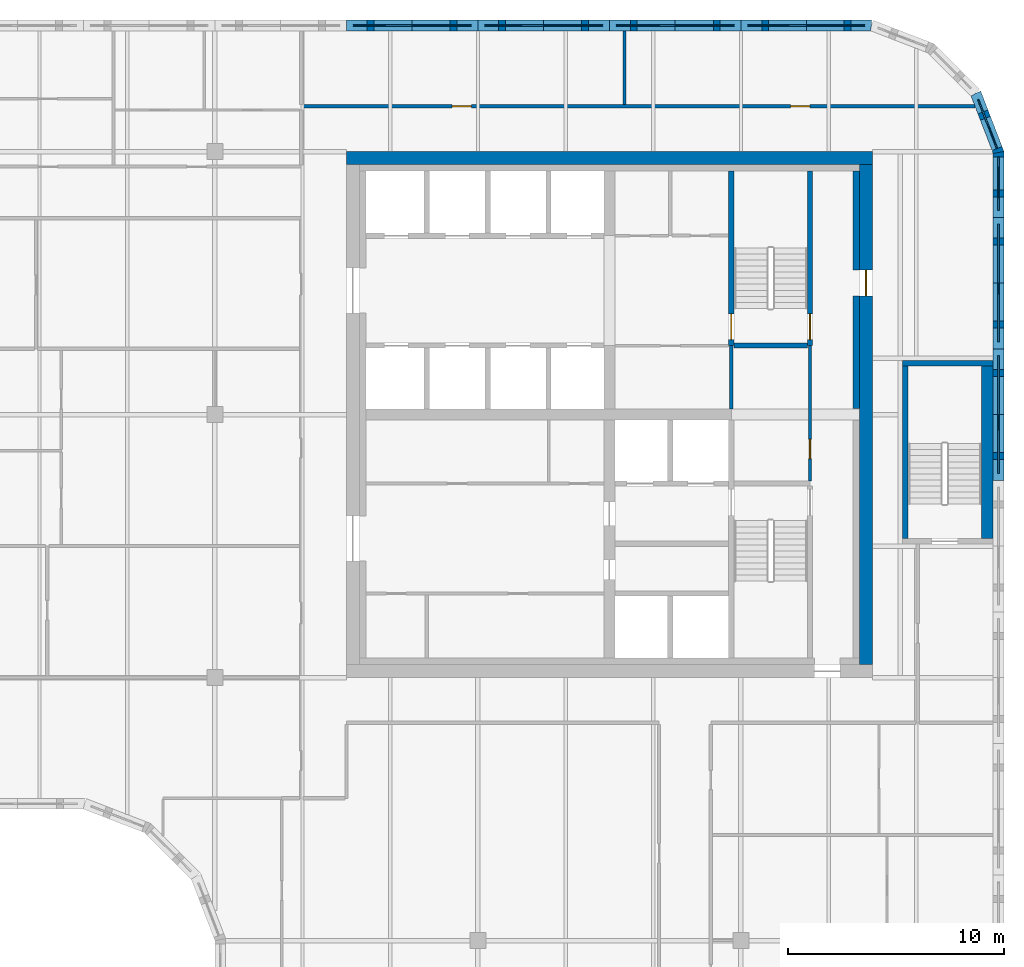
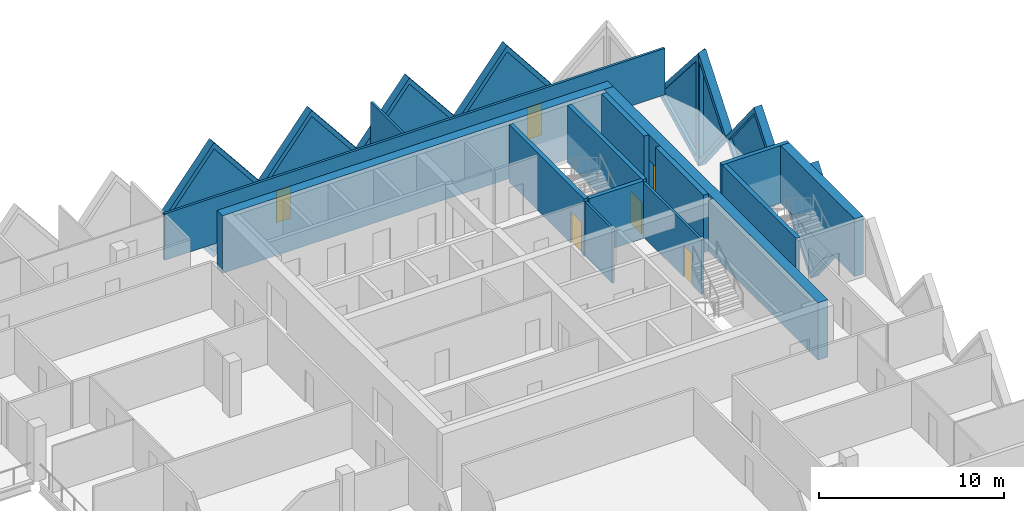
# One storey, part 9 of 11: 22 walls, 8 plates, 6 doors, 14 openings.
"""IFC4 building model written with IfcOpenShell, lengths in metres."""

from ifc_helpers import new_model, si_unit, direction, frame, frame_2d, origin, place, context, subcontext, project, spatial, polyline, rectangle, outline, extrude, faceted_brep, source, transform, mapped, material, layer, layer_set, type_object, element, fill, save


model = new_model("IFC4")

# Units and contexts
model_context = context("Model", 3, precision=1e-05, world=origin(), true_north=direction((0.0, 1.0)))
body_context = subcontext(model_context, "Body", "Model", "MODEL_VIEW")
ifc_project = project(units=[si_unit("LENGTHUNIT", "METRE"), si_unit("AREAUNIT", "SQUARE_METRE"), si_unit("VOLUMEUNIT", "CUBIC_METRE"), si_unit("PLANEANGLEUNIT", "RADIAN"), si_unit("MASSUNIT", "GRAM", prefix="KILO")], contexts=[model_context])

# Site, building, storey
site_placement = place(None, origin())
site = spatial("IfcSite", under=ifc_project, at=site_placement, CompositionType="ELEMENT")
building_placement = place(site_placement, origin())
building = spatial("IfcBuilding", under=site, at=building_placement, Name="Tessera Gate Towers", CompositionType="ELEMENT")
storey_placement = place(building_placement, frame((0.0, 0.0, 166.800048828125)))
storey = spatial("IfcBuildingStorey", under=building, at=storey_placement, Name="L41", CompositionType="ELEMENT", Elevation=166.800048828125)

# Wall, opening, door
ifc_material_1 = material(Name="Concrete C40/50", Category="concrete")
ifc_layer_1 = layer(ifc_material_1, 0.25)
ifc_layer_set_1 = layer_set([ifc_layer_1], Name="CORE ENCLOSURE WALL 250")
wall_type_1 = type_object("IfcWallType", Name="CORE ENCLOSURE WALL 250", PredefinedType="SOLIDWALL", material=ifc_layer_set_1)
wall_1_placement = place(storey_placement, frame((48.35009765625, 47.89990234375, 0.0), z_axis=(0.0, 0.0, 1.0), x_axis=(0.0, -1.0, 0.0)))
wall_1 = element("IfcWall", 1, at=wall_1_placement, inside=storey, type_object=wall_type_1, Name="L41 shaft and stair enclosure wall", PredefinedType="SOLIDWALL", context=body_context, shape_type="SweptSolid", body=[
    extrude(rectangle(XDim=8.099853515625, YDim=0.25, at=frame_2d((4.0498046875, 0.0))), origin(), (0.0, 0.0, 1.0), 3.800048828125),
])
shared_shape_1 = source(origin(), body_context, "Body", "SweptSolid", [
    extrude(rectangle(XDim=1.199951171875, YDim=2.10009765625, at=frame_2d((0.60009765625, 1.050048828125))), frame((0.0, 0.135009765625, 0.0), z_axis=(0.0, -1.0, 0.0), x_axis=(1.0, 0.0, 0.0)), (0.0, 0.0, 1.0), 0.27001953125),
])
opening_1_placement = place(wall_1_placement, frame((6.625, 0.0, 0.0)))
opening_1 = element("IfcOpeningElement", 2, at=opening_1_placement, cuts=wall_1, Name="Opening SD-ST2-1", PredefinedType="OPENING", context=body_context, shape_type="MappedRepresentation", body=[
    mapped(shared_shape_1, transform((0.0, 0.0, 0.0), scale=1.0)),
])
ifc_material_2 = material(Name="Hollow steel fire door", Category="steel")
door_type_1 = type_object("IfcDoorType", Name="CORE DOOR SD 1200x2100", OperationType="NOTDEFINED", PredefinedType="DOOR", material=ifc_material_2)
shared_shape_2 = source(origin(), body_context, "Body", "SweptSolid", [
    extrude(rectangle(XDim=1.199951171875, YDim=2.10009765625, at=frame_2d((0.60009765625, 1.050048828125))), frame((0.0, 0.02490234375, 0.0), z_axis=(0.0, -1.0, 0.0), x_axis=(1.0, 0.0, 0.0)), (0.0, 0.0, 1.0), 0.050048828125),
])
door_1_placement = place(opening_1_placement, origin())
door_1 = element("IfcDoor", 3, at=door_1_placement, inside=storey, type_object=door_type_1, Name="Stair door", OperationType="SINGLE_SWING_RIGHT", OverallHeight=2.10009765625, OverallWidth=1.199951171875, PredefinedType="DOOR", context=body_context, shape_type="MappedRepresentation", body=[
    mapped(shared_shape_2, transform((0.0, 0.0, 0.0), scale=1.0)),
])
fill(opening_1, door_1)

wall_2_placement = place(storey_placement, frame((52.0, 39.800048828125, 0.0), z_axis=(0.0, 0.0, 1.0), x_axis=(0.0, 1.0, 0.0)))
wall_2 = element("IfcWall", 4, at=wall_2_placement, inside=storey, type_object=wall_type_1, Name="L41 shaft and stair enclosure wall", PredefinedType="SOLIDWALL", context=body_context, shape_type="SweptSolid", body=[
    extrude(rectangle(XDim=8.099853515625, YDim=0.25, at=frame_2d((4.0498046875, 0.0))), origin(), (0.0, 0.0, 1.0), 3.800048828125),
])
opening_2_placement = place(wall_2_placement, frame((0.27490234375, 0.0, 0.0)))
opening_2 = element("IfcOpeningElement", 5, at=opening_2_placement, cuts=wall_2, Name="Opening SD-ST2-2", PredefinedType="OPENING", context=body_context, shape_type="MappedRepresentation", body=[
    mapped(shared_shape_1, transform((0.0, 0.0, 0.0), scale=1.0)),
])
door_2_placement = place(opening_2_placement, origin())
door_2 = element("IfcDoor", 6, at=door_2_placement, inside=storey, type_object=door_type_1, Name="Stair door", OperationType="SINGLE_SWING_LEFT", OverallHeight=2.10009765625, OverallWidth=1.199951171875, PredefinedType="DOOR", context=body_context, shape_type="MappedRepresentation", body=[
    mapped(shared_shape_2, transform((0.0, 0.0, 0.0), scale=1.0)),
])
fill(opening_2, door_2)

# Walls
wall_3_placement = place(storey_placement, frame((48.47509765625, 39.800048828125, 0.0), z_axis=(0.0, 0.0, 1.0), x_axis=(1.0, 0.0, 0.0)))
element("IfcWall", 7, at=wall_3_placement, inside=storey, type_object=wall_type_1, Name="L41 shaft and stair enclosure wall", PredefinedType="SOLIDWALL", context=body_context, shape_type="SweptSolid", body=[
    extrude(rectangle(XDim=3.39990234375, YDim=0.25, at=frame_2d((1.699951171875, 0.0))), origin(), (0.0, 0.0, 1.0), 3.800048828125),
])
wall_4_placement = place(storey_placement, frame((56.425048828125, 30.85009765625, 0.0), z_axis=(0.0, 0.0, 1.0), x_axis=(0.0, 1.0, 0.0)))
element("IfcWall", 8, at=wall_4_placement, inside=storey, type_object=wall_type_1, Name="L41 ST5 enclosure wall", PredefinedType="SOLIDWALL", context=body_context, shape_type="SweptSolid", body=[
    extrude(rectangle(XDim=8.0, YDim=0.25, at=frame_2d((4.0, 0.0))), origin(), (0.0, 0.0, 1.0), 3.800048828125),
])
wall_5_placement = place(storey_placement, frame((56.300048828125, 38.97509765625, 0.0), z_axis=(0.0, 0.0, 1.0), x_axis=(1.0, 0.0, 0.0)))
element("IfcWall", 9, at=wall_5_placement, inside=storey, type_object=wall_type_1, Name="L41 ST5 enclosure wall", PredefinedType="SOLIDWALL", context=body_context, shape_type="SweptSolid", body=[
    extrude(rectangle(XDim=4.199951171875, YDim=0.25, at=frame_2d((2.10009765625, 0.0))), origin(), (0.0, 0.0, 1.0), 3.800048828125),
])
ifc_material_3 = material(Name="Concrete C40/50", Category="concrete")
ifc_layer_2 = layer(ifc_material_3, 0.550048828125)
ifc_layer_set_2 = layer_set([ifc_layer_2], Name="CORE ENCLOSURE WALL 550")
wall_type_2 = type_object("IfcWallType", Name="CORE ENCLOSURE WALL 550", PredefinedType="SOLIDWALL", material=ifc_layer_set_2)
wall_6_placement = place(storey_placement, frame((60.22509765625, 38.85009765625, 0.0), z_axis=(0.0, 0.0, 1.0), x_axis=(0.0, -1.0, 0.0)))
element("IfcWall", 10, at=wall_6_placement, inside=storey, type_object=wall_type_2, Name="L41 ST5 enclosure wall", PredefinedType="SOLIDWALL", context=body_context, shape_type="SweptSolid", body=[
    extrude(rectangle(XDim=8.0, YDim=0.550048828125, at=frame_2d((4.0, 0.0))), origin(), (0.0, 0.0, 1.0), 3.800048828125),
])
ifc_material_4 = material(Name="Concrete C50/60", Category="concrete")
ifc_layer_3 = layer(ifc_material_4, 0.60009765625)
ifc_layer_set_3 = layer_set([ifc_layer_3], Name="CORE SHEAR WALL 600 C50/60")
wall_type_3 = type_object("IfcWallType", Name="CORE SHEAR WALL 600 C50/60", PredefinedType="SHEAR", material=ifc_layer_set_3)
wall_7_placement = place(storey_placement, frame((30.5, 48.5, 0.0), z_axis=(0.0, 0.0, 1.0), x_axis=(1.0, 0.0, 0.0)))
element("IfcWall", 11, at=wall_7_placement, inside=storey, type_object=wall_type_3, Name="Core wall N L41", PredefinedType="SHEAR", context=body_context, shape_type="SweptSolid", body=[
    extrude(rectangle(XDim=24.39990234375, YDim=0.60009765625, at=frame_2d((12.199951171875, 0.0))), origin(), (0.0, 0.0, 1.0), 3.800048828125),
])

# Wall, opening, door
wall_8_placement = place(storey_placement, frame((54.60009765625, 48.199951171875, 0.0), z_axis=(0.0, 0.0, 1.0), x_axis=(0.0, -1.0, 0.0)))
wall_8 = element("IfcWall", 12, at=wall_8_placement, inside=storey, type_object=wall_type_3, Name="Core wall E L41", PredefinedType="SHEAR", context=body_context, shape_type="SweptSolid", body=[
    extrude(rectangle(XDim=23.199951171875, YDim=0.60009765625, at=frame_2d((11.60009765625, 0.0))), origin(), (0.0, 0.0, 1.0), 3.800048828125),
])
shared_shape_3 = source(origin(), body_context, "Body", "SweptSolid", [
    extrude(rectangle(XDim=1.199951171875, YDim=2.10009765625, at=frame_2d((0.60009765625, 1.050048828125))), frame((0.0, 0.31005859375, 0.0), z_axis=(0.0, -1.0, 0.0), x_axis=(1.0, 0.0, 0.0)), (0.0, 0.0, 1.0), 0.6201171875),
])
opening_3_placement = place(wall_8_placement, frame((4.89990234375, 0.0, 0.0)))
opening_3 = element("IfcOpeningElement", 13, at=opening_3_placement, cuts=wall_8, Name="Opening ED-T1-26-04", PredefinedType="OPENING", context=body_context, shape_type="MappedRepresentation", body=[
    mapped(shared_shape_3, transform((0.0, 0.0, 0.0), scale=1.0)),
])
ifc_material_5 = material(Name="Hollow steel fire door", Category="steel")
door_type_2 = type_object("IfcDoorType", Name="CORE DOOR ED 1200x2100", OperationType="NOTDEFINED", PredefinedType="DOOR", material=ifc_material_5)
door_3_placement = place(opening_3_placement, origin())
door_3 = element("IfcDoor", 14, at=door_3_placement, inside=storey, type_object=door_type_2, Name="Core exit door", OperationType="SINGLE_SWING_LEFT", OverallHeight=2.10009765625, OverallWidth=1.199951171875, PredefinedType="DOOR", context=body_context, shape_type="MappedRepresentation", body=[
    mapped(shared_shape_2, transform((0.0, 0.0, 0.0), scale=1.0)),
])
fill(opening_3, door_3)

# Walls
ifc_material_6 = material(Name="Concrete C50/60", Category="concrete")
ifc_layer_4 = layer(ifc_material_6, 0.300048828125)
ifc_layer_set_4 = layer_set([ifc_layer_4], Name="CORE WALL THICKENING 300")
wall_type_4 = type_object("IfcWallType", Name="CORE WALL THICKENING 300", PredefinedType="SOLIDWALL", material=ifc_layer_set_4)
wall_9_placement = place(storey_placement, frame((54.14990234375, 36.8798828125, 0.0), z_axis=(0.0, 0.0, 1.0), x_axis=(0.0, 1.0, 0.0)))
element("IfcWall", 15, at=wall_9_placement, inside=storey, type_object=wall_type_4, Name="Core wall thickening E L41", PredefinedType="SOLIDWALL", context=body_context, shape_type="SweptSolid", body=[
    extrude(rectangle(XDim=5.22021484375, YDim=0.300048828125, at=frame_2d((2.610107421875, 0.0))), origin(), (0.0, 0.0, 1.0), 3.800048828125),
])
wall_10_placement = place(storey_placement, frame((54.14990234375, 43.300048828125, 0.0), z_axis=(0.0, 0.0, 1.0), x_axis=(0.0, 1.0, 0.0)))
element("IfcWall", 16, at=wall_10_placement, inside=storey, type_object=wall_type_4, Name="Core wall thickening E L41", PredefinedType="SOLIDWALL", context=body_context, shape_type="SweptSolid", body=[
    extrude(rectangle(XDim=4.599853515625, YDim=0.300048828125, at=frame_2d((2.2998046875, 0.0))), origin(), (0.0, 0.0, 1.0), 3.800048828125),
])

# Wall, openings, doors
ifc_material_7 = material(Name="Gypsum board on steel studs, mineral wool", Category="steel")
ifc_layer_5 = layer(ifc_material_7, 0.14990234375)
ifc_layer_set_5 = layer_set([ifc_layer_5], Name="CORRIDOR WALL 150")
wall_type_5 = type_object("IfcWallType", Name="CORRIDOR WALL 150", PredefinedType="PARTITIONING", material=ifc_layer_set_5)
wall_11_placement = place(storey_placement, frame((28.39990234375, 50.89990234375, 0.0), z_axis=(0.0, 0.0, 1.0), x_axis=(1.0, 0.0, 0.0)))
wall_11 = element("IfcWall", 17, at=wall_11_placement, inside=storey, type_object=wall_type_5, Name="T1-L41-PW-047", PredefinedType="PARTITIONING", context=body_context, shape_type="SweptSolid", body=[
    extrude(rectangle(XDim=31.254150390625, YDim=0.14990234375, at=frame_2d((15.626953125, 0.0))), origin(), (0.0, 0.0, 1.0), 3.06689453125),
])
shared_shape_4 = source(origin(), body_context, "Body", "SweptSolid", [
    extrude(rectangle(XDim=0.89990234375, YDim=2.10009765625, at=frame_2d((0.449951171875, 1.050048828125))), frame((0.0, 0.0849609375, 0.0), z_axis=(0.0, -1.0, 0.0), x_axis=(1.0, 0.0, 0.0)), (0.0, 0.0, 1.0), 0.169921875),
])
opening_4_placement = place(wall_11_placement, frame((7.0, 0.0, 0.0)))
opening_4 = element("IfcOpeningElement", 18, at=opening_4_placement, cuts=wall_11, Name="Opening D890FD60-A15-11", PredefinedType="OPENING", context=body_context, shape_type="MappedRepresentation", body=[
    mapped(shared_shape_4, transform((0.0, 0.0, 0.0), scale=1.0)),
])
opening_5_placement = place(wall_11_placement, frame((22.699951171875, 0.0, 0.0)))
opening_5 = element("IfcOpeningElement", 19, at=opening_5_placement, cuts=wall_11, Name="Opening D890FD60-A15-12", PredefinedType="OPENING", context=body_context, shape_type="MappedRepresentation", body=[
    mapped(shared_shape_4, transform((0.0, 0.0, 0.0), scale=1.0)),
])
ifc_material_8 = material(Name="Timber door leaf in steel frame", Category="steel")
door_type_3 = type_object("IfcDoorType", Name="CORRIDOR DOOR 900 FD60", OperationType="NOTDEFINED", PredefinedType="DOOR", material=ifc_material_8)
shared_shape_5 = source(origin(), body_context, "Body", "SweptSolid", [
    extrude(rectangle(XDim=0.89990234375, YDim=2.10009765625, at=frame_2d((0.449951171875, 1.050048828125))), frame((0.0, 0.02490234375, 0.0), z_axis=(0.0, -1.0, 0.0), x_axis=(1.0, 0.0, 0.0)), (0.0, 0.0, 1.0), 0.050048828125),
])
door_4_placement = place(opening_4_placement, origin())
door_4 = element("IfcDoor", 20, at=door_4_placement, inside=storey, type_object=door_type_3, Name="T1-L41-PD-028", OperationType="SINGLE_SWING_LEFT", OverallHeight=2.10009765625, OverallWidth=0.89990234375, PredefinedType="DOOR", context=body_context, shape_type="MappedRepresentation", body=[
    mapped(shared_shape_5, transform((0.0, 0.0, 0.0), scale=1.0)),
])
fill(opening_4, door_4)
door_5_placement = place(opening_5_placement, origin())
door_5 = element("IfcDoor", 21, at=door_5_placement, inside=storey, type_object=door_type_3, Name="T1-L41-PD-029", OperationType="SINGLE_SWING_LEFT", OverallHeight=2.10009765625, OverallWidth=0.89990234375, PredefinedType="DOOR", context=body_context, shape_type="MappedRepresentation", body=[
    mapped(shared_shape_5, transform((0.0, 0.0, 0.0), scale=1.0)),
])
fill(opening_5, door_5)

# Wall, opening, door
ifc_material_9 = material(Name="Gypsum board on steel studs", Category="steel")
ifc_layer_6 = layer(ifc_material_9, 0.14990234375)
ifc_layer_set_6 = layer_set([ifc_layer_6], Name="SERVICE ROOM WALL 150")
wall_type_6 = type_object("IfcWallType", Name="SERVICE ROOM WALL 150", PredefinedType="PARTITIONING", material=ifc_layer_set_6)
wall_12_placement = place(storey_placement, frame((52.0, 33.52490234375, 0.0), z_axis=(0.0, 0.0, 1.0), x_axis=(0.0, 1.0, 0.0)))
wall_12 = element("IfcWall", 22, at=wall_12_placement, inside=storey, type_object=wall_type_6, Name="L41 service room wall", PredefinedType="PARTITIONING", context=body_context, shape_type="SweptSolid", body=[
    extrude(rectangle(XDim=6.275146484375, YDim=0.14990234375, at=frame_2d((3.1376953125, 0.0))), origin(), (0.0, 0.0, 1.0), 3.599853515625),
])
opening_6_placement = place(wall_12_placement, frame((1.02490234375, 0.0, 0.0)))
opening_6 = element("IfcOpeningElement", 23, at=opening_6_placement, cuts=wall_12, Name="Opening RD-T1-26-11", PredefinedType="OPENING", context=body_context, shape_type="MappedRepresentation", body=[
    mapped(shared_shape_4, transform((0.0, 0.0, 0.0), scale=1.0)),
])
ifc_material_10 = material(Name="Hollow steel fire door", Category="steel")
door_type_4 = type_object("IfcDoorType", Name="CORE DOOR RD 900x2100", OperationType="NOTDEFINED", PredefinedType="DOOR", material=ifc_material_10)
door_6_placement = place(opening_6_placement, origin())
door_6 = element("IfcDoor", 24, at=door_6_placement, inside=storey, type_object=door_type_4, Name="Core room door", OperationType="SINGLE_SWING_LEFT", OverallHeight=2.10009765625, OverallWidth=0.89990234375, PredefinedType="DOOR", context=body_context, shape_type="MappedRepresentation", body=[
    mapped(shared_shape_5, transform((0.0, 0.0, 0.0), scale=1.0)),
])
fill(opening_6, door_6)

# Walls
wall_13_placement = place(storey_placement, frame((48.35009765625, 36.85009765625, 0.0), z_axis=(0.0, 0.0, 1.0), x_axis=(0.0, 1.0, 0.0)))
element("IfcWall", 25, at=wall_13_placement, inside=storey, type_object=wall_type_6, Name="L41 service room wall", PredefinedType="PARTITIONING", context=body_context, shape_type="SweptSolid", body=[
    extrude(rectangle(XDim=2.949951171875, YDim=0.14990234375, at=frame_2d((1.47509765625, 0.0))), origin(), (0.0, 0.0, 1.0), 3.599853515625),
])
ifc_material_11 = material(Name="Gypsum board on steel studs, mineral wool", Category="steel")
ifc_layer_7 = layer(ifc_material_11, 0.14990234375)
ifc_layer_set_7 = layer_set([ifc_layer_7], Name="TENANCY WALL 150")
wall_type_7 = type_object("IfcWallType", Name="TENANCY WALL 150", PredefinedType="PARTITIONING", material=ifc_layer_set_7)
wall_14_placement = place(storey_placement, frame((43.39990234375, 50.97607421875, 0.0), z_axis=(0.0, 0.0, 1.0), x_axis=(0.0, 1.0, 0.0)))
element("IfcWall", 26, at=wall_14_placement, inside=storey, type_object=wall_type_7, Name="T1-L41-PW-049", PredefinedType="PARTITIONING", context=body_context, shape_type="SweptSolid", body=[
    extrude(rectangle(XDim=3.423828125, YDim=0.14990234375, at=frame_2d((1.7119140625, 0.0))), origin(), (0.0, 0.0, 1.0), 3.06689453125),
])

# Wall, opening, plate
ifc_material_12 = material(Name="Precast concrete C60/75 white", Category="concrete")
ifc_layer_8 = layer(ifc_material_12, 0.5)
ifc_layer_set_8 = layer_set([ifc_layer_8], Name="TS1 tessera")
wall_type_8 = type_object("IfcWallType", Name="TS1 tessera", PredefinedType="SOLIDWALL", material=ifc_layer_set_8)
shared_shape_6 = source(origin(), body_context, "Body", "Brep", [
    faceted_brep([(3.00341796875, -0.25, 0.0), (6.053466796875, -0.25, 3.800048828125), (3.00341796875, -0.25, 7.60009765625), (0.0, -0.25, 3.800048828125), (0.046630859375, 0.25, 3.85888671875), (3.00341796875, 0.25, 7.60009765625), (6.053466796875, 0.25, 3.800048828125), (3.00341796875, 0.25, 0.0), (0.046630859375, 0.25, 3.7412109375), (0.0, 0.0, 3.800048828125)], [[[0, 1, 2, 3]], [[4, 5, 6, 7, 8]], [[7, 6, 1, 0]], [[6, 5, 2, 1]], [[5, 4, 9, 3, 2]], [[8, 7, 0, 3, 9]], [[8, 9, 4]]]),
])
wall_15_placement = place(storey_placement, frame((54.853515625, 54.64990234375, -3.800048828125), z_axis=(0.0, 0.0, 1.0), x_axis=(-1.0, 0.0, 0.0)))
wall_15 = element("IfcWall", 27, at=wall_15_placement, inside=storey, type_object=wall_type_8, Name="Precast tessera T1 TS1-0700", PredefinedType="SOLIDWALL", context=body_context, shape_type="MappedRepresentation", body=[
    mapped(shared_shape_6, transform((0.0, 0.0, 0.0), scale=1.0)),
])
shared_shape_7 = source(origin(), body_context, "Body", "SweptSolid", [
    extrude(outline(polyline([(3.0048828125, 0.4013671875), (5.73291015625, 3.800048828125), (3.0048828125, 7.19873046875), (0.318603515625, 3.800048828125), (3.0048828125, 0.4013671875)])), frame((0.0, 0.260009765625, 0.0), z_axis=(0.0, -1.0, 0.0), x_axis=(1.0, 0.0, 0.0)), (0.0, 0.0, 1.0), 0.52001953125),
])
opening_7_placement = place(wall_15_placement, origin())
opening_7 = element("IfcOpeningElement", 28, at=opening_7_placement, cuts=wall_15, Name="Opening T1-PL2-1428", PredefinedType="OPENING", context=body_context, shape_type="MappedRepresentation", body=[
    mapped(shared_shape_7, transform((0.0, 0.0, 0.0), scale=1.0)),
])
ifc_material_13 = material(Name="Low-e laminated glass", Category="glass")
ifc_layer_9 = layer(ifc_material_13, 0.06005859375)
ifc_layer_set_9 = layer_set([ifc_layer_9], Name="PL2 rhombic pane")
plate_type = type_object("IfcPlateType", Name="PL2 rhombic pane", PredefinedType="SHEET", material=ifc_layer_set_9)
shared_shape_8 = source(origin(), body_context, "Body", "SweptSolid", [
    extrude(outline(polyline([(3.0048828125, 0.4013671875), (5.73291015625, 3.800048828125), (3.0048828125, 7.19873046875), (0.318603515625, 3.800048828125), (3.0048828125, 0.4013671875)])), frame((0.0, 0.030029296875, 0.0), z_axis=(0.0, -1.0, 0.0), x_axis=(1.0, 0.0, 0.0)), (0.0, 0.0, 1.0), 0.06005859375),
])
plate_1_placement = place(opening_7_placement, origin())
plate_1 = element("IfcPlate", 29, at=plate_1_placement, inside=storey, type_object=plate_type, Name="Glass pane T1 PL2-1428", PredefinedType="SHEET", context=body_context, shape_type="MappedRepresentation", body=[
    mapped(shared_shape_8, transform((0.0, 0.0, 0.0), scale=1.0)),
])
fill(opening_7, plate_1)

shared_shape_9 = source(origin(), body_context, "Body", "Brep", [
    faceted_brep([(3.050048828125, -0.25, 0.0), (6.099853515625, -0.25, 3.7998046875), (6.099853515625, -0.25, 3.80029296875), (3.050048828125, -0.25, 7.60009765625), (0.0, -0.25, 3.800048828125), (0.0, 0.25, 3.800048828125), (3.050048828125, 0.25, 7.60009765625), (6.099853515625, 0.25, 3.80029296875), (6.099853515625, 0.25, 3.7998046875), (3.050048828125, 0.25, 0.0)], [[[0, 1, 2, 3, 4]], [[5, 6, 7, 8, 9]], [[9, 8, 1, 0]], [[7, 6, 3, 2]], [[6, 5, 4, 3]], [[5, 9, 0, 4]], [[1, 8, 7, 2]]]),
])
wall_16_placement = place(storey_placement, frame((60.75, 33.550048828125, -3.800048828125), z_axis=(0.0, 0.0, 1.0), x_axis=(0.0, 1.0, 0.0)))
wall_16 = element("IfcWall", 30, at=wall_16_placement, inside=storey, type_object=wall_type_8, Name="Precast tessera T1 TS1-0698", PredefinedType="SOLIDWALL", context=body_context, shape_type="MappedRepresentation", body=[
    mapped(shared_shape_9, transform((0.0, 0.0, 0.0), scale=1.0)),
])
shared_shape_10 = source(origin(), body_context, "Body", "SweptSolid", [
    extrude(outline(polyline([(3.050048828125, 0.3994140625), (5.779541015625, 3.800048828125), (3.050048828125, 7.20068359375), (0.320556640625, 3.800048828125), (3.050048828125, 0.3994140625)])), frame((0.0, 0.260009765625, 0.0), z_axis=(0.0, -1.0, 0.0), x_axis=(1.0, 0.0, 0.0)), (0.0, 0.0, 1.0), 0.52001953125),
])
opening_8_placement = place(wall_16_placement, origin())
opening_8 = element("IfcOpeningElement", 31, at=opening_8_placement, cuts=wall_16, Name="Opening T1-PL2-1422", PredefinedType="OPENING", context=body_context, shape_type="MappedRepresentation", body=[
    mapped(shared_shape_10, transform((0.0, 0.0, 0.0), scale=1.0)),
])
shared_shape_11 = source(origin(), body_context, "Body", "SweptSolid", [
    extrude(outline(polyline([(3.050048828125, 0.3994140625), (5.779541015625, 3.800048828125), (3.050048828125, 7.20068359375), (0.320556640625, 3.800048828125), (3.050048828125, 0.3994140625)])), frame((0.0, 0.030029296875, 0.0), z_axis=(0.0, -1.0, 0.0), x_axis=(1.0, 0.0, 0.0)), (0.0, 0.0, 1.0), 0.06005859375),
])
plate_2_placement = place(opening_8_placement, origin())
plate_2 = element("IfcPlate", 32, at=plate_2_placement, inside=storey, type_object=plate_type, Name="Glass pane T1 PL2-1422", PredefinedType="SHEET", context=body_context, shape_type="MappedRepresentation", body=[
    mapped(shared_shape_11, transform((0.0, 0.0, 0.0), scale=1.0)),
])
fill(opening_8, plate_2)

wall_17_placement = place(storey_placement, frame((42.699951171875, 54.64990234375, -3.800048828125), z_axis=(0.0, 0.0, 1.0), x_axis=(-1.0, 0.0, 0.0)))
wall_17 = element("IfcWall", 33, at=wall_17_placement, inside=storey, type_object=wall_type_8, Name="Precast tessera T1 TS1-0702", PredefinedType="SOLIDWALL", context=body_context, shape_type="MappedRepresentation", body=[
    mapped(shared_shape_9, transform((0.0, 0.0, 0.0), scale=1.0)),
])
opening_9_placement = place(wall_17_placement, origin())
opening_9 = element("IfcOpeningElement", 34, at=opening_9_placement, cuts=wall_17, Name="Opening T1-PL2-1430", PredefinedType="OPENING", context=body_context, shape_type="MappedRepresentation", body=[
    mapped(shared_shape_10, transform((0.0, 0.0, 0.0), scale=1.0)),
])
plate_3_placement = place(opening_9_placement, origin())
plate_3 = element("IfcPlate", 35, at=plate_3_placement, inside=storey, type_object=plate_type, Name="Glass pane T1 PL2-1430", PredefinedType="SHEET", context=body_context, shape_type="MappedRepresentation", body=[
    mapped(shared_shape_11, transform((0.0, 0.0, 0.0), scale=1.0)),
])
fill(opening_9, plate_3)

shared_shape_12 = source(origin(), body_context, "Body", "SweptSolid", [
    extrude(outline(polyline([(3.050048828125, 0.0), (6.10009765625, 3.800048828125), (3.050048828125, 7.60009765625), (0.0, 3.800048828125), (3.050048828125, 0.0)])), frame((0.0, 0.25, 0.0), z_axis=(0.0, -1.0, 0.0), x_axis=(1.0, 0.0, 0.0)), (0.0, 0.0, 1.0), 0.5),
])
wall_18_placement = place(storey_placement, frame((60.75, 39.64990234375, -3.800048828125), z_axis=(0.0, 0.0, 1.0), x_axis=(0.0, 1.0, 0.0)))
wall_18 = element("IfcWall", 36, at=wall_18_placement, inside=storey, type_object=wall_type_8, Name="Precast tessera T1 TS1-0699", PredefinedType="SOLIDWALL", context=body_context, shape_type="MappedRepresentation", body=[
    mapped(shared_shape_12, transform((0.0, 0.0, 0.0), scale=1.0)),
])
opening_10_placement = place(wall_18_placement, origin())
opening_10 = element("IfcOpeningElement", 37, at=opening_10_placement, cuts=wall_18, Name="Opening T1-PL2-1423", PredefinedType="OPENING", context=body_context, shape_type="MappedRepresentation", body=[
    mapped(shared_shape_10, transform((0.0, 0.0, 0.0), scale=1.0)),
])
plate_4_placement = place(opening_10_placement, origin())
plate_4 = element("IfcPlate", 38, at=plate_4_placement, inside=storey, type_object=plate_type, Name="Glass pane T1 PL2-1423", PredefinedType="SHEET", context=body_context, shape_type="MappedRepresentation", body=[
    mapped(shared_shape_11, transform((0.0, 0.0, 0.0), scale=1.0)),
])
fill(opening_10, plate_4)

wall_19_placement = place(storey_placement, frame((48.800048828125, 54.64990234375, -3.800048828125), z_axis=(0.0, 0.0, 1.0), x_axis=(-1.0, 0.0, 0.0)))
wall_19 = element("IfcWall", 39, at=wall_19_placement, inside=storey, type_object=wall_type_8, Name="Precast tessera T1 TS1-0701", PredefinedType="SOLIDWALL", context=body_context, shape_type="MappedRepresentation", body=[
    mapped(shared_shape_12, transform((0.0, 0.0, 0.0), scale=1.0)),
])
opening_11_placement = place(wall_19_placement, origin())
opening_11 = element("IfcOpeningElement", 40, at=opening_11_placement, cuts=wall_19, Name="Opening T1-PL2-1429", PredefinedType="OPENING", context=body_context, shape_type="MappedRepresentation", body=[
    mapped(shared_shape_10, transform((0.0, 0.0, 0.0), scale=1.0)),
])
plate_5_placement = place(opening_11_placement, origin())
plate_5 = element("IfcPlate", 41, at=plate_5_placement, inside=storey, type_object=plate_type, Name="Glass pane T1 PL2-1429", PredefinedType="SHEET", context=body_context, shape_type="MappedRepresentation", body=[
    mapped(shared_shape_11, transform((0.0, 0.0, 0.0), scale=1.0)),
])
fill(opening_11, plate_5)

wall_20_placement = place(storey_placement, frame((36.60009765625, 54.64990234375, -3.800048828125), z_axis=(0.0, 0.0, 1.0), x_axis=(-1.0, 0.0, 0.0)))
wall_20 = element("IfcWall", 42, at=wall_20_placement, inside=storey, type_object=wall_type_8, Name="Precast tessera T1 TS1-0703", PredefinedType="SOLIDWALL", context=body_context, shape_type="MappedRepresentation", body=[
    mapped(shared_shape_12, transform((0.0, 0.0, 0.0), scale=1.0)),
])
opening_12_placement = place(wall_20_placement, origin())
opening_12 = element("IfcOpeningElement", 43, at=opening_12_placement, cuts=wall_20, Name="Opening T1-PL2-1431", PredefinedType="OPENING", context=body_context, shape_type="MappedRepresentation", body=[
    mapped(shared_shape_10, transform((0.0, 0.0, 0.0), scale=1.0)),
])
plate_6_placement = place(opening_12_placement, origin())
plate_6 = element("IfcPlate", 44, at=plate_6_placement, inside=storey, type_object=plate_type, Name="Glass pane T1 PL2-1431", PredefinedType="SHEET", context=body_context, shape_type="MappedRepresentation", body=[
    mapped(shared_shape_11, transform((0.0, 0.0, 0.0), scale=1.0)),
])
fill(opening_12, plate_6)

ifc_material_14 = material(Name="Precast concrete C60/75 white", Category="concrete")
ifc_layer_10 = layer(ifc_material_14, 0.5)
ifc_layer_set_10 = layer_set([ifc_layer_10], Name="TS3 corner tessera")
wall_type_9 = type_object("IfcWallType", Name="TS3 corner tessera", PredefinedType="SOLIDWALL", material=ifc_layer_set_10)
shared_shape_13 = source(origin(), body_context, "Body", "Brep", [
    faceted_brep([(3.00341796875, -0.25, 0.0), (3.050048828125, -0.25, 0.06005859375), (3.050048828125, -0.25, 7.5400390625), (3.00341796875, -0.25, 7.60009765625), (0.0, -0.25, 3.800048828125), (0.0, 0.25, 3.800048828125), (2.956787109375, 0.25, 7.541259765625), (2.956787109375, 0.25, 0.058837890625), (3.00341796875, 0.000244140625, 0.0), (3.00341796875, 0.000244140625, 7.60009765625)], [[[0, 1, 2, 3, 4]], [[5, 6, 7]], [[1, 0, 8]], [[9, 3, 2]], [[6, 5, 4, 3, 9]], [[5, 7, 8, 0, 4]], [[1, 8, 7, 6, 9, 2]]]),
])
wall_21_placement = place(storey_placement, frame((60.75, 45.75, -3.800048828125), z_axis=(0.0, 0.0, 1.0), x_axis=(0.0, 1.0, 0.0)))
wall_21 = element("IfcWall", 45, at=wall_21_placement, inside=storey, type_object=wall_type_9, Name="Precast corner tessera T1 TS3-0941", PredefinedType="SOLIDWALL", context=body_context, shape_type="MappedRepresentation", body=[
    mapped(shared_shape_13, transform((0.0, 0.0, 0.0), scale=1.0)),
])
shared_shape_14 = source(origin(), body_context, "Body", "SweptSolid", [
    extrude(outline(polyline([(2.803466796875, 6.94384765625), (0.318603515625, 3.800048828125), (2.803466796875, 0.65625), (2.803466796875, 6.94384765625)])), frame((0.0, 0.260009765625, 0.0), z_axis=(0.0, -1.0, 0.0), x_axis=(1.0, 0.0, 0.0)), (0.0, 0.0, 1.0), 0.52001953125),
])
opening_13_placement = place(wall_21_placement, origin())
opening_13 = element("IfcOpeningElement", 46, at=opening_13_placement, cuts=wall_21, Name="Opening T1-PL2-1424", PredefinedType="OPENING", context=body_context, shape_type="MappedRepresentation", body=[
    mapped(shared_shape_14, transform((0.0, 0.0, 0.0), scale=1.0)),
])
shared_shape_15 = source(origin(), body_context, "Body", "SweptSolid", [
    extrude(outline(polyline([(2.803466796875, 6.94384765625), (0.318603515625, 3.800048828125), (2.803466796875, 0.65625), (2.803466796875, 6.94384765625)])), frame((0.0, 0.030029296875, 0.0), z_axis=(0.0, -1.0, 0.0), x_axis=(1.0, 0.0, 0.0)), (0.0, 0.0, 1.0), 0.06005859375),
])
plate_7_placement = place(opening_13_placement, origin())
plate_7 = element("IfcPlate", 47, at=plate_7_placement, inside=storey, type_object=plate_type, Name="Glass pane T1 PL2-1424", PredefinedType="SHEET", context=body_context, shape_type="MappedRepresentation", body=[
    mapped(shared_shape_15, transform((0.0, 0.0, 0.0), scale=1.0)),
])
fill(opening_13, plate_7)

shared_shape_16 = source(origin(), body_context, "Body", "Brep", [
    faceted_brep([(0.046630859375, -0.25, 0.0), (2.9970703125, -0.25, 3.800048828125), (0.046630859375, -0.25, 7.60009765625), (0.0, -0.25, 7.541259765625), (0.0, -0.25, 0.058837890625), (0.09326171875, 0.25, 7.5400390625), (2.9443359375, 0.25, 3.8681640625), (2.9443359375, 0.25, 3.73193359375), (0.09326171875, 0.25, 0.06005859375), (2.9970703125, 0.00048828125, 3.800048828125), (0.046630859375, 0.0, 0.0), (0.046630859375, 0.0, 7.60009765625)], [[[0, 1, 2, 3, 4]], [[5, 6, 7, 8]], [[8, 7, 9, 1, 0, 10]], [[6, 5, 11, 2, 1, 9]], [[3, 2, 11]], [[10, 0, 4]], [[8, 10, 4, 3, 11, 5]], [[9, 7, 6]]]),
])
wall_22_placement = place(storey_placement, frame((60.766845703125, 48.7099609375, -3.800048828125), z_axis=(0.0, 0.0, 1.0), x_axis=(-0.359901446078, 0.932990326376, 0.0)))
wall_22 = element("IfcWall", 48, at=wall_22_placement, inside=storey, type_object=wall_type_9, Name="Precast corner tessera T1 TS3-0942", PredefinedType="SOLIDWALL", context=body_context, shape_type="MappedRepresentation", body=[
    mapped(shared_shape_16, transform((0.0, 0.0, 0.0), scale=1.0)),
])
shared_shape_17 = source(origin(), body_context, "Body", "SweptSolid", [
    extrude(outline(polyline([(0.24658203125, 0.665283203125), (2.6806640625, 3.800048828125), (0.24658203125, 6.934814453125), (0.24658203125, 0.665283203125)])), frame((0.0, 0.260009765625, 0.0), z_axis=(0.0, -1.0, 0.0), x_axis=(1.0, 0.0, 0.0)), (0.0, 0.0, 1.0), 0.52001953125),
])
opening_14_placement = place(wall_22_placement, origin())
opening_14 = element("IfcOpeningElement", 49, at=opening_14_placement, cuts=wall_22, Name="Opening T1-PL2-1425", PredefinedType="OPENING", context=body_context, shape_type="MappedRepresentation", body=[
    mapped(shared_shape_17, transform((0.0, 0.0, 0.0), scale=1.0)),
])
shared_shape_18 = source(origin(), body_context, "Body", "SweptSolid", [
    extrude(outline(polyline([(0.24658203125, 0.665283203125), (2.6806640625, 3.800048828125), (0.24658203125, 6.934814453125), (0.24658203125, 0.665283203125)])), frame((0.0, 0.030029296875, 0.0), z_axis=(0.0, -1.0, 0.0), x_axis=(1.0, 0.0, 0.0)), (0.0, 0.0, 1.0), 0.06005859375),
])
plate_8_placement = place(opening_14_placement, origin())
plate_8 = element("IfcPlate", 50, at=plate_8_placement, inside=storey, type_object=plate_type, Name="Glass pane T1 PL2-1425", PredefinedType="SHEET", context=body_context, shape_type="MappedRepresentation", body=[
    mapped(shared_shape_18, transform((0.0, 0.0, 0.0), scale=1.0)),
])
fill(opening_14, plate_8)

save(model, "model.ifc")
